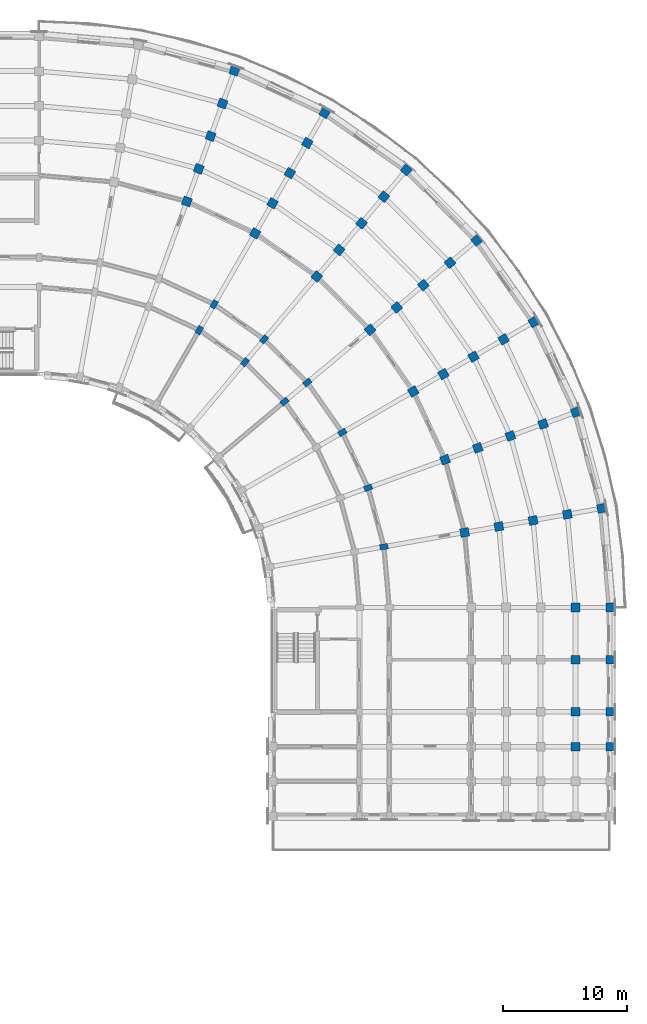
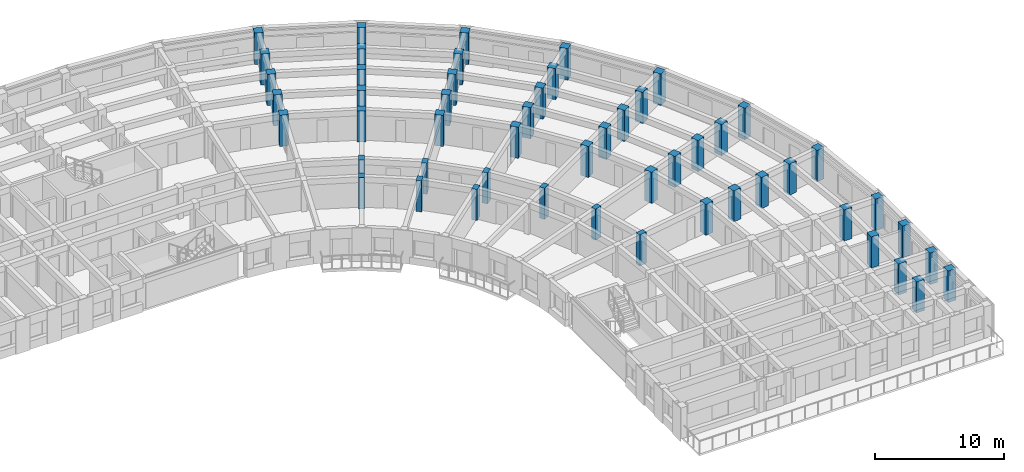
# One storey, part 3 of 54: 52 columns.
"""IFC4 building model written with IfcOpenShell, lengths in metres."""

from ifc_helpers import new_model, si_unit, direction, frame, origin, origin_2d, place, context, subcontext, project, spatial, rectangle, extrude, material, material_profile, profile_set, type_object, element, save


model = new_model("IFC4")

# Units and contexts
model_context = context("Model", 3, precision=1e-05, world=origin(), true_north=direction((0.0, 1.0)))
body_context = subcontext(model_context, "Body", "Model", "MODEL_VIEW")
ifc_project = project(units=[si_unit("LENGTHUNIT", "METRE"), si_unit("AREAUNIT", "SQUARE_METRE"), si_unit("VOLUMEUNIT", "CUBIC_METRE"), si_unit("PLANEANGLEUNIT", "RADIAN"), si_unit("MASSUNIT", "GRAM", prefix="KILO")], contexts=[model_context])

# Site, building, storey
site_placement = place(None, origin())
site = spatial("IfcSite", under=ifc_project, at=site_placement, CompositionType="ELEMENT")
building_placement = place(site_placement, origin())
building = spatial("IfcBuilding", under=site, at=building_placement, Name="Kiranvali Square Residences", CompositionType="ELEMENT")
storey_placement = place(building_placement, frame((0.0, 0.0, 27.60009765625)))
storey = spatial("IfcBuildingStorey", under=building, at=storey_placement, Name="L08", CompositionType="ELEMENT", Elevation=27.60009765625)

# Columns
ifc_material_1 = material(Name="Concrete M40 (40 MPa)", Category="concrete")
ifc_material_profile_1 = material_profile(ifc_material_1, rectangle(XDim=0.449951171875, YDim=0.64990234375, at=origin_2d()), Name="RC 650x450")
ifc_profile_set_1 = profile_set([ifc_material_profile_1], Name="Concrete M40 (40 MPa)")
column_type_1 = type_object("IfcColumnType", Name="COL-M40-650x450", PredefinedType="COLUMN", material=ifc_profile_set_1)
for number, where, z_axis, x_axis, name in (
    (1, (132.699951171875, 110.1435546875, 0.0), (0.0, 0.0, 1.0), (-0.866025403784, 0.5, 0.0), "Block B L08 radial column A03-R1"),
    (2, (133.89990234375, 112.221923828125, 0.0), (0.0, 0.0, 1.0), (-0.866025403784, 0.5, 0.0), "Block B L08 radial column A03-R2"),
    (3, (136.384033203125, 107.56396484375, 0.0), (0.0, 0.0, 1.0), (-0.766044443119, 0.642787609687, 0.0), "Block B L08 radial column A04-R1"),
    (4, (137.926513671875, 109.40234375, 0.0), (0.0, 0.0, 1.0), (-0.766044443119, 0.642787609687, 0.0), "Block B L08 radial column A04-R2"),
    (5, (139.56396484375, 104.384033203125, 0.0), (0.0, 0.0, 1.0), (-0.642787609687, 0.766044443119, 0.0), "Block B L08 radial column A05-R1"),
    (6, (141.40234375, 105.926513671875, 0.0), (0.0, 0.0, 1.0), (-0.642787609687, 0.766044443119, 0.0), "Block B L08 radial column A05-R2"),
    (7, (144.221923828125, 101.89990234375, 0.0), (0.0, 0.0, 1.0), (-0.5, 0.866025403784, 0.0), "Block B L08 radial column A06-R2"),
    (8, (146.29931640625, 97.445068359375, 0.0), (0.0, 0.0, 1.0), (-0.342020143326, 0.939692620786, 0.0), "Block B L08 radial column A07-R2"),
    (9, (147.571533203125, 92.69677734375, 0.0), (0.0, 0.0, 1.0), (-0.173648177667, 0.984807753012, 0.0), "Block B L08 radial column A08-R2"),
):
    element("IfcColumn", number, at=place(storey_placement, frame(where, z_axis=z_axis, x_axis=x_axis)), inside=storey, type_object=column_type_1, Name=name, PredefinedType="COLUMN", context=body_context, shape_type="SweptSolid", body=[
        extrude(rectangle(XDim=0.449951171875, YDim=0.64990234375, at=origin_2d()), origin(), (0.0, 0.0, 1.0), 2.929931640625),
    ])
ifc_material_2 = material(Name="Concrete M45 (45 MPa)", Category="concrete")
ifc_material_profile_2 = material_profile(ifc_material_2, rectangle(XDim=0.699951171875, YDim=0.699951171875, at=origin_2d()), Name="RC 700x700")
ifc_profile_set_2 = profile_set([ifc_material_profile_2], Name="Concrete M45 (45 MPa)")
column_type_2 = type_object("IfcColumnType", Name="COL-M45-700", PredefinedType="COLUMN", material=ifc_profile_set_2)
for number, where, z_axis, x_axis, name in (
    (10, (131.702392578125, 120.501220703125, 0.0), (0.0, 0.0, 1.0), (-0.939692620786, 0.342020143326, 0.0), "Block B L08 radial column A02-R3"),
    (11, (132.659912109375, 123.13232421875, 0.0), (0.0, 0.0, 1.0), (-0.939692620786, 0.342020143326, 0.0), "Block B L08 radial column A02-R4"),
    (12, (133.61767578125, 125.763671875, 0.0), (0.0, 0.0, 1.0), (-0.939692620786, 0.342020143326, 0.0), "Block B L08 radial column A02-R5"),
    (13, (134.5751953125, 128.394775390625, 0.0), (0.0, 0.0, 1.0), (-0.939692620786, 0.342020143326, 0.0), "Block B L08 radial column A02-R6"),
):
    element("IfcColumn", number, at=place(storey_placement, frame(where, z_axis=z_axis, x_axis=x_axis)), inside=storey, type_object=column_type_2, Name=name, PredefinedType="COLUMN", context=body_context, shape_type="SweptSolid", body=[
        extrude(rectangle(XDim=0.699951171875, YDim=0.699951171875, at=origin_2d()), origin(), (0.0, 0.0, 1.0), 2.929931640625),
    ])
column_1_placement = place(storey_placement, frame((135.532958984375, 131.02587890625, 0.0), z_axis=(0.0, 0.0, 1.0), x_axis=(-0.939692620786, 0.342020143326, 0.0)))
element("IfcColumn", 14, at=column_1_placement, inside=storey, type_object=column_type_2, Name="Block B L08 radial column A02-R7", PredefinedType="COLUMN", context=body_context, shape_type="SweptSolid", body=[
    extrude(rectangle(XDim=0.699951171875, YDim=0.699951171875, at=origin_2d()), origin(), (0.0, 0.0, 1.0), 2.969970703125),
])
for number, where, z_axis, x_axis, name in (
    (15, (137.199951171875, 117.937744140625, 0.0), (0.0, 0.0, 1.0), (-0.866025403784, 0.5, 0.0), "Block B L08 radial column A03-R3"),
    (16, (138.60009765625, 120.362548828125, 0.0), (0.0, 0.0, 1.0), (-0.866025403784, 0.5, 0.0), "Block B L08 radial column A03-R4"),
    (17, (140.0, 122.787353515625, 0.0), (0.0, 0.0, 1.0), (-0.866025403784, 0.5, 0.0), "Block B L08 radial column A03-R5"),
    (18, (141.39990234375, 125.21240234375, 0.0), (0.0, 0.0, 1.0), (-0.866025403784, 0.5, 0.0), "Block B L08 radial column A03-R6"),
):
    element("IfcColumn", number, at=place(storey_placement, frame(where, z_axis=z_axis, x_axis=x_axis)), inside=storey, type_object=column_type_2, Name=name, PredefinedType="COLUMN", context=body_context, shape_type="SweptSolid", body=[
        extrude(rectangle(XDim=0.699951171875, YDim=0.699951171875, at=origin_2d()), origin(), (0.0, 0.0, 1.0), 2.929931640625),
    ])
column_2_placement = place(storey_placement, frame((142.800048828125, 127.63720703125, 0.0), z_axis=(0.0, 0.0, 1.0), x_axis=(-0.866025403784, 0.5, 0.0)))
element("IfcColumn", 19, at=column_2_placement, inside=storey, type_object=column_type_2, Name="Block B L08 radial column A03-R7", PredefinedType="COLUMN", context=body_context, shape_type="SweptSolid", body=[
    extrude(rectangle(XDim=0.699951171875, YDim=0.699951171875, at=origin_2d()), origin(), (0.0, 0.0, 1.0), 2.969970703125),
])
for number, where, z_axis, x_axis, name in (
    (20, (142.1689453125, 114.458251953125, 0.0), (0.0, 0.0, 1.0), (-0.766044443119, 0.642787609687, 0.0), "Block B L08 radial column A04-R3"),
    (21, (143.96875, 116.603271484375, 0.0), (0.0, 0.0, 1.0), (-0.766044443119, 0.642787609687, 0.0), "Block B L08 radial column A04-R4"),
    (22, (145.7685546875, 118.748291015625, 0.0), (0.0, 0.0, 1.0), (-0.766044443119, 0.642787609687, 0.0), "Block B L08 radial column A04-R5"),
    (23, (147.568359375, 120.89306640625, 0.0), (0.0, 0.0, 1.0), (-0.766044443119, 0.642787609687, 0.0), "Block B L08 radial column A04-R6"),
):
    element("IfcColumn", number, at=place(storey_placement, frame(where, z_axis=z_axis, x_axis=x_axis)), inside=storey, type_object=column_type_2, Name=name, PredefinedType="COLUMN", context=body_context, shape_type="SweptSolid", body=[
        extrude(rectangle(XDim=0.699951171875, YDim=0.699951171875, at=origin_2d()), origin(), (0.0, 0.0, 1.0), 2.929931640625),
    ])
column_3_placement = place(storey_placement, frame((149.3681640625, 123.0380859375, 0.0), z_axis=(0.0, 0.0, 1.0), x_axis=(-0.766044443119, 0.642787609687, 0.0)))
element("IfcColumn", 24, at=column_3_placement, inside=storey, type_object=column_type_2, Name="Block B L08 radial column A04-R7", PredefinedType="COLUMN", context=body_context, shape_type="SweptSolid", body=[
    extrude(rectangle(XDim=0.699951171875, YDim=0.699951171875, at=origin_2d()), origin(), (0.0, 0.0, 1.0), 2.969970703125),
])
for number, where, z_axis, x_axis, name in (
    (25, (146.458251953125, 110.1689453125, 0.0), (0.0, 0.0, 1.0), (-0.642787609687, 0.766044443119, 0.0), "Block B L08 radial column A05-R3"),
    (26, (148.603271484375, 111.96875, 0.0), (0.0, 0.0, 1.0), (-0.642787609687, 0.766044443119, 0.0), "Block B L08 radial column A05-R4"),
    (27, (150.748291015625, 113.7685546875, 0.0), (0.0, 0.0, 1.0), (-0.642787609687, 0.766044443119, 0.0), "Block B L08 radial column A05-R5"),
    (28, (152.89306640625, 115.568359375, 0.0), (0.0, 0.0, 1.0), (-0.642787609687, 0.766044443119, 0.0), "Block B L08 radial column A05-R6"),
):
    element("IfcColumn", number, at=place(storey_placement, frame(where, z_axis=z_axis, x_axis=x_axis)), inside=storey, type_object=column_type_2, Name=name, PredefinedType="COLUMN", context=body_context, shape_type="SweptSolid", body=[
        extrude(rectangle(XDim=0.699951171875, YDim=0.699951171875, at=origin_2d()), origin(), (0.0, 0.0, 1.0), 2.929931640625),
    ])
column_4_placement = place(storey_placement, frame((155.0380859375, 117.3681640625, 0.0), z_axis=(0.0, 0.0, 1.0), x_axis=(-0.642787609687, 0.766044443119, 0.0)))
element("IfcColumn", 29, at=column_4_placement, inside=storey, type_object=column_type_2, Name="Block B L08 radial column A05-R7", PredefinedType="COLUMN", context=body_context, shape_type="SweptSolid", body=[
    extrude(rectangle(XDim=0.699951171875, YDim=0.699951171875, at=origin_2d()), origin(), (0.0, 0.0, 1.0), 2.969970703125),
])
for number, where, z_axis, x_axis, name in (
    (30, (149.937744140625, 105.199951171875, 0.0), (0.0, 0.0, 1.0), (-0.5, 0.866025403784, 0.0), "Block B L08 radial column A06-R3"),
    (31, (152.362548828125, 106.60009765625, 0.0), (0.0, 0.0, 1.0), (-0.5, 0.866025403784, 0.0), "Block B L08 radial column A06-R4"),
    (32, (154.787353515625, 108.0, 0.0), (0.0, 0.0, 1.0), (-0.5, 0.866025403784, 0.0), "Block B L08 radial column A06-R5"),
    (33, (157.21240234375, 109.39990234375, 0.0), (0.0, 0.0, 1.0), (-0.5, 0.866025403784, 0.0), "Block B L08 radial column A06-R6"),
):
    element("IfcColumn", number, at=place(storey_placement, frame(where, z_axis=z_axis, x_axis=x_axis)), inside=storey, type_object=column_type_2, Name=name, PredefinedType="COLUMN", context=body_context, shape_type="SweptSolid", body=[
        extrude(rectangle(XDim=0.699951171875, YDim=0.699951171875, at=origin_2d()), origin(), (0.0, 0.0, 1.0), 2.929931640625),
    ])
column_5_placement = place(storey_placement, frame((159.63720703125, 110.800048828125, 0.0), z_axis=(0.0, 0.0, 1.0), x_axis=(-0.5, 0.866025403784, 0.0)))
element("IfcColumn", 34, at=column_5_placement, inside=storey, type_object=column_type_2, Name="Block B L08 radial column A06-R7", PredefinedType="COLUMN", context=body_context, shape_type="SweptSolid", body=[
    extrude(rectangle(XDim=0.699951171875, YDim=0.699951171875, at=origin_2d()), origin(), (0.0, 0.0, 1.0), 2.969970703125),
])
for number, where, z_axis, x_axis, name in (
    (35, (152.501220703125, 99.702392578125, 0.0), (0.0, 0.0, 1.0), (-0.342020143326, 0.939692620786, 0.0), "Block B L08 radial column A07-R3"),
    (36, (155.13232421875, 100.659912109375, 0.0), (0.0, 0.0, 1.0), (-0.342020143326, 0.939692620786, 0.0), "Block B L08 radial column A07-R4"),
    (37, (157.763671875, 101.61767578125, 0.0), (0.0, 0.0, 1.0), (-0.342020143326, 0.939692620786, 0.0), "Block B L08 radial column A07-R5"),
    (38, (160.394775390625, 102.5751953125, 0.0), (0.0, 0.0, 1.0), (-0.342020143326, 0.939692620786, 0.0), "Block B L08 radial column A07-R6"),
):
    element("IfcColumn", number, at=place(storey_placement, frame(where, z_axis=z_axis, x_axis=x_axis)), inside=storey, type_object=column_type_2, Name=name, PredefinedType="COLUMN", context=body_context, shape_type="SweptSolid", body=[
        extrude(rectangle(XDim=0.699951171875, YDim=0.699951171875, at=origin_2d()), origin(), (0.0, 0.0, 1.0), 2.929931640625),
    ])
column_6_placement = place(storey_placement, frame((163.02587890625, 103.532958984375, 0.0), z_axis=(0.0, 0.0, 1.0), x_axis=(-0.342020143326, 0.939692620786, 0.0)))
element("IfcColumn", 39, at=column_6_placement, inside=storey, type_object=column_type_2, Name="Block B L08 radial column A07-R7", PredefinedType="COLUMN", context=body_context, shape_type="SweptSolid", body=[
    extrude(rectangle(XDim=0.699951171875, YDim=0.699951171875, at=origin_2d()), origin(), (0.0, 0.0, 1.0), 2.969970703125),
])
for number, where, z_axis, x_axis, name in (
    (40, (154.0712890625, 93.843017578125, 0.0), (0.0, 0.0, 1.0), (-0.173648177667, 0.984807753012, 0.0), "Block B L08 radial column A08-R3"),
    (41, (156.828857421875, 94.3291015625, 0.0), (0.0, 0.0, 1.0), (-0.173648177667, 0.984807753012, 0.0), "Block B L08 radial column A08-R4"),
    (42, (159.586181640625, 94.8154296875, 0.0), (0.0, 0.0, 1.0), (-0.173648177667, 0.984807753012, 0.0), "Block B L08 radial column A08-R5"),
    (43, (162.34375, 95.301513671875, 0.0), (0.0, 0.0, 1.0), (-0.173648177667, 0.984807753012, 0.0), "Block B L08 radial column A08-R6"),
):
    element("IfcColumn", number, at=place(storey_placement, frame(where, z_axis=z_axis, x_axis=x_axis)), inside=storey, type_object=column_type_2, Name=name, PredefinedType="COLUMN", context=body_context, shape_type="SweptSolid", body=[
        extrude(rectangle(XDim=0.699951171875, YDim=0.699951171875, at=origin_2d()), origin(), (0.0, 0.0, 1.0), 2.929931640625),
    ])
column_7_placement = place(storey_placement, frame((165.10107421875, 95.787841796875, 0.0), z_axis=(0.0, 0.0, 1.0), x_axis=(-0.173648177667, 0.984807753012, 0.0)))
element("IfcColumn", 44, at=column_7_placement, inside=storey, type_object=column_type_2, Name="Block B L08 radial column A08-R7", PredefinedType="COLUMN", context=body_context, shape_type="SweptSolid", body=[
    extrude(rectangle(XDim=0.699951171875, YDim=0.699951171875, at=origin_2d()), origin(), (0.0, 0.0, 1.0), 2.969970703125),
])
column_8_placement = place(storey_placement, frame((163.0, 87.800048828125, 0.0), z_axis=(0.0, 0.0, 1.0), x_axis=(0.0, 1.0, 0.0)))
element("IfcColumn", 45, at=column_8_placement, inside=storey, type_object=column_type_2, Name="Block B L08 radial column A09-R6", PredefinedType="COLUMN", context=body_context, shape_type="SweptSolid", body=[
    extrude(rectangle(XDim=0.699951171875, YDim=0.699951171875, at=origin_2d()), origin(), (0.0, 0.0, 1.0), 2.929931640625),
])
column_9_placement = place(storey_placement, frame((165.800048828125, 87.800048828125, 0.0), z_axis=(0.0, 0.0, 1.0), x_axis=(0.0, 1.0, 0.0)))
element("IfcColumn", 46, at=column_9_placement, inside=storey, type_object=column_type_2, Name="Block B L08 radial column A09-R7", PredefinedType="COLUMN", context=body_context, shape_type="SweptSolid", body=[
    extrude(rectangle(XDim=0.699951171875, YDim=0.699951171875, at=origin_2d()), origin(), (0.0, 0.0, 1.0), 2.969970703125),
])
column_10_placement = place(storey_placement, frame((163.0, 83.60009765625, 0.0), z_axis=(0.0, 0.0, 1.0), x_axis=(1.0, 0.0, 0.0)))
element("IfcColumn", 47, at=column_10_placement, inside=storey, type_object=column_type_2, Name="Block B L08 Arm 2 mid-core column V0-R6", PredefinedType="COLUMN", context=body_context, shape_type="SweptSolid", body=[
    extrude(rectangle(XDim=0.699951171875, YDim=0.699951171875, at=origin_2d()), origin(), (0.0, 0.0, 1.0), 2.929931640625),
])
column_11_placement = place(storey_placement, frame((165.800048828125, 83.60009765625, 0.0), z_axis=(0.0, 0.0, 1.0), x_axis=(1.0, 0.0, 0.0)))
element("IfcColumn", 48, at=column_11_placement, inside=storey, type_object=column_type_2, Name="Block B L08 Arm 2 mid-core column V0-R7", PredefinedType="COLUMN", context=body_context, shape_type="SweptSolid", body=[
    extrude(rectangle(XDim=0.699951171875, YDim=0.699951171875, at=origin_2d()), origin(), (0.0, 0.0, 1.0), 2.969970703125),
])
column_12_placement = place(storey_placement, frame((163.0, 79.39990234375, 0.0), z_axis=(0.0, 0.0, 1.0), x_axis=(1.0, 0.0, 0.0)))
element("IfcColumn", 49, at=column_12_placement, inside=storey, type_object=column_type_2, Name="Block B L08 Arm 2 column V1-R6", PredefinedType="COLUMN", context=body_context, shape_type="SweptSolid", body=[
    extrude(rectangle(XDim=0.699951171875, YDim=0.699951171875, at=origin_2d()), origin(), (0.0, 0.0, 1.0), 2.929931640625),
])
column_13_placement = place(storey_placement, frame((165.800048828125, 79.39990234375, 0.0), z_axis=(0.0, 0.0, 1.0), x_axis=(1.0, 0.0, 0.0)))
element("IfcColumn", 50, at=column_13_placement, inside=storey, type_object=column_type_2, Name="Block B L08 Arm 2 column V1-R7", PredefinedType="COLUMN", context=body_context, shape_type="SweptSolid", body=[
    extrude(rectangle(XDim=0.699951171875, YDim=0.699951171875, at=origin_2d()), origin(), (0.0, 0.0, 1.0), 2.969970703125),
])
column_14_placement = place(storey_placement, frame((163.0, 76.60009765625, 0.0), z_axis=(0.0, 0.0, 1.0), x_axis=(1.0, 0.0, 0.0)))
element("IfcColumn", 51, at=column_14_placement, inside=storey, type_object=column_type_2, Name="Block B L08 Arm 2 column V2-R6", PredefinedType="COLUMN", context=body_context, shape_type="SweptSolid", body=[
    extrude(rectangle(XDim=0.699951171875, YDim=0.699951171875, at=origin_2d()), origin(), (0.0, 0.0, 1.0), 2.929931640625),
])
column_15_placement = place(storey_placement, frame((165.800048828125, 76.60009765625, 0.0), z_axis=(0.0, 0.0, 1.0), x_axis=(1.0, 0.0, 0.0)))
element("IfcColumn", 52, at=column_15_placement, inside=storey, type_object=column_type_2, Name="Block B L08 Arm 2 column V2-R7", PredefinedType="COLUMN", context=body_context, shape_type="SweptSolid", body=[
    extrude(rectangle(XDim=0.699951171875, YDim=0.699951171875, at=origin_2d()), origin(), (0.0, 0.0, 1.0), 2.969970703125),
])

save(model, "model.ifc")
